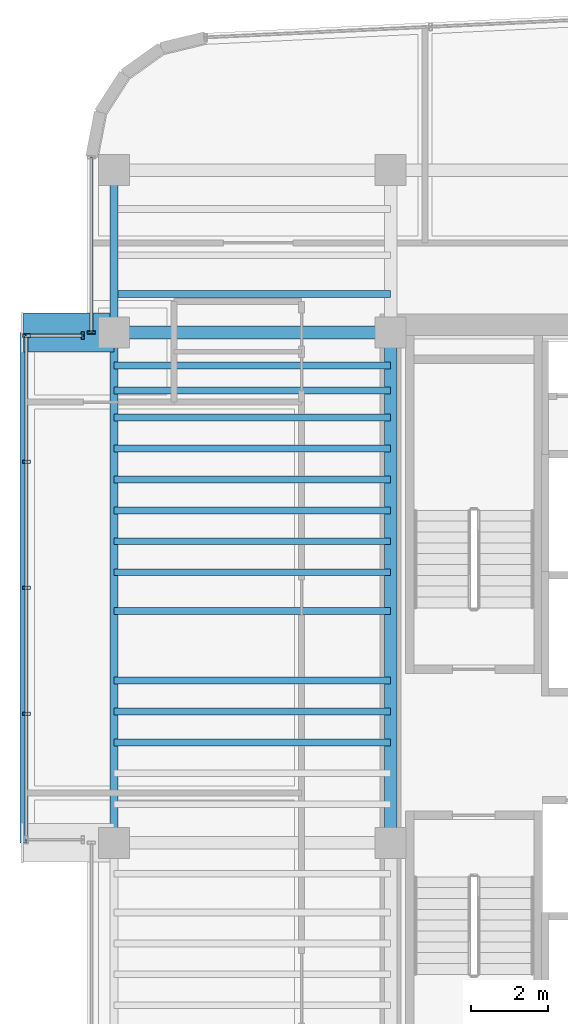
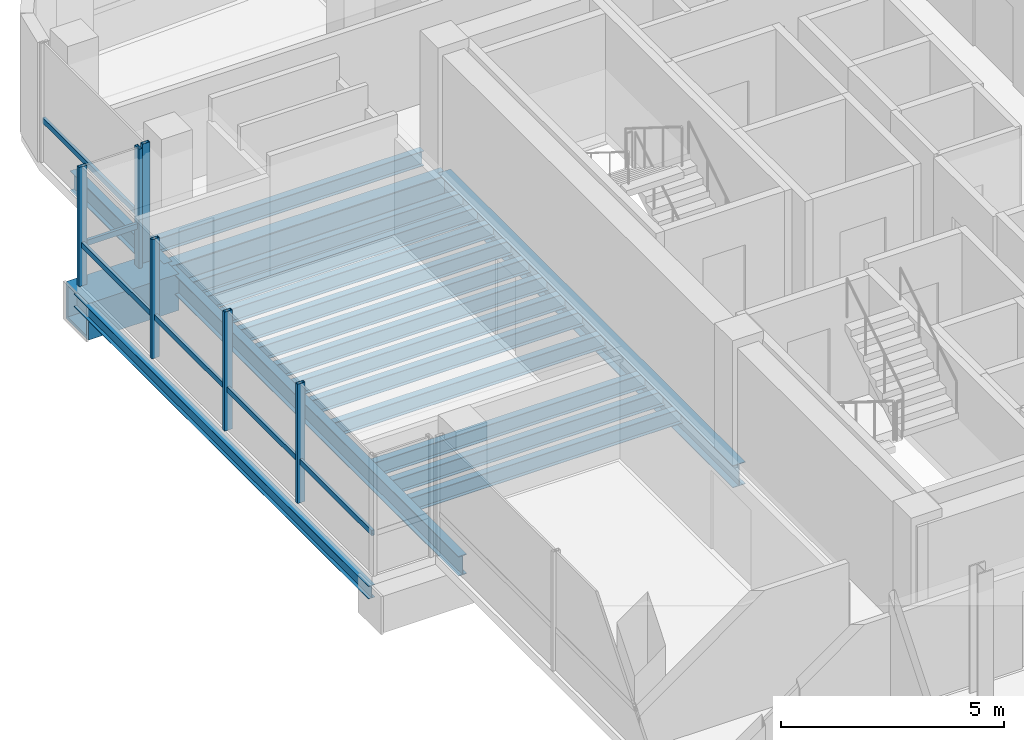
# One storey, part 6 of 18: 19 beams, 9 members, 3 elements without a shape of their own.
"""IFC4 building model written with IfcOpenShell, lengths in metres."""

from ifc_helpers import new_model, si_unit, direction, frame, origin, origin_2d, place, context, subcontext, project, spatial, hollow_rectangle, i_section, extrude, source, transform, mapped, material, material_profile, profile_set, type_object, element, aggregate, save


model = new_model("IFC4")

# Units and contexts
model_context = context("Model", 3, precision=1e-05, world=origin(), true_north=direction((0.0, 1.0)))
body_context = subcontext(model_context, "Body", "Model", "MODEL_VIEW")
ifc_project = project(units=[si_unit("LENGTHUNIT", "METRE"), si_unit("AREAUNIT", "SQUARE_METRE"), si_unit("VOLUMEUNIT", "CUBIC_METRE"), si_unit("PLANEANGLEUNIT", "RADIAN"), si_unit("MASSUNIT", "GRAM", prefix="KILO")], contexts=[model_context])

# Site, building, storey
site_placement = place(None, origin())
site = spatial("IfcSite", under=ifc_project, at=site_placement, CompositionType="ELEMENT")
building_placement = place(site_placement, origin())
building = spatial("IfcBuilding", under=site, at=building_placement, Name="Valdorenza Pilgrim Sanctuary Tower", CompositionType="ELEMENT")
storey_placement = place(building_placement, frame((0.0, 0.0, 273.0)))
storey = spatial("IfcBuildingStorey", under=building, at=storey_placement, Name="L71", CompositionType="ELEMENT", Elevation=273.0)

# Beams
ifc_material_1 = material(Name="Steel ASTM A992 Grade 50", Category="steel")
ifc_material_profile_1 = material_profile(ifc_material_1, i_section(OverallWidth=0.323974609375, OverallDepth=0.611083984375, WebThickness=0.0126953125, FlangeThickness=0.01904296875, at=origin_2d()), Name="W24X104")
ifc_profile_set_1 = profile_set([ifc_material_profile_1], Name="Steel ASTM A992 Grade 50")
beam_type_1 = type_object("IfcBeamType", Name="STR-BM-GRD-W24B", PredefinedType="BEAM", material=ifc_profile_set_1)
shared_shape_1 = source(origin(), body_context, "Body", "SweptSolid", [
    extrude(i_section(OverallWidth=0.323974609375, OverallDepth=0.611083984375, WebThickness=0.0126953125, FlangeThickness=0.01904296875, at=origin_2d()), origin(), (0.0, 0.0, 1.0), 13.2001953125),
])
beam_1_placement = place(storey_placement, frame((-22.64990234375, -2.60009765625, -0.54541015625), z_axis=(0.0, 1.0, 0.0), x_axis=(-1.0, 0.0, 0.0)))
element("IfcBeam", 1, at=beam_1_placement, inside=storey, type_object=beam_type_1, Name="L71 Core Tie Girder CA-W-M0N1", PredefinedType="BEAM", context=body_context, shape_type="MappedRepresentation", body=[
    mapped(shared_shape_1, transform((0.0, 0.0, 0.0), x_axis=(1.0, 0.0, 0.0), y_axis=(0.0, 1.0, 0.0), z_axis=(0.0, 0.0, 1.0), scale=1.0)),
])
ifc_material_profile_2 = material_profile(ifc_material_1, i_section(OverallWidth=0.1708984375, OverallDepth=0.35107421875, WebThickness=0.0068359375, FlangeThickness=0.009765625, at=origin_2d()), Name="W14X30")
ifc_profile_set_2 = profile_set([ifc_material_profile_2], Name="Steel ASTM A992 Grade 50")
beam_type_2 = type_object("IfcBeamType", Name="STR-BM-BOX-W14", PredefinedType="BEAM", material=ifc_profile_set_2)
shared_shape_2 = source(origin(), body_context, "Body", "SweptSolid", [
    extrude(i_section(OverallWidth=0.1708984375, OverallDepth=0.35107421875, WebThickness=0.0068359375, FlangeThickness=0.009765625, at=origin_2d()), origin(), (0.0, 0.0, 1.0), 13.2001953125),
])
beam_2_placement = place(storey_placement, frame((-32.14990234375, -2.60009765625, -0.41552734375), z_axis=(0.0, 1.0, 0.0), x_axis=(-1.0, 0.0, 0.0)))
element("IfcBeam", 2, at=beam_2_placement, inside=storey, type_object=beam_type_2, Name="L71 Glass Box Edge Beam BOX-WA-L71-F", PredefinedType="BEAM", context=body_context, shape_type="MappedRepresentation", body=[
    mapped(shared_shape_2, transform((0.0, 0.0, 0.0), x_axis=(1.0, 0.0, 0.0), y_axis=(0.0, 1.0, 0.0), z_axis=(0.0, 0.0, 1.0), scale=1.0)),
])
ifc_material_profile_3 = material_profile(ifc_material_1, i_section(OverallWidth=0.2109375, OverallDepth=0.5390625, WebThickness=0.01171875, FlangeThickness=0.018798828125, at=origin_2d()), Name="W21X73")
ifc_profile_set_3 = profile_set([ifc_material_profile_3], Name="Steel ASTM A992 Grade 50")
beam_type_3 = type_object("IfcBeamType", Name="STR-BM-SPN-W21B", PredefinedType="SPANDREL", material=ifc_profile_set_3)
shared_shape_3 = source(origin(), body_context, "Body", "SweptSolid", [
    extrude(i_section(OverallWidth=0.2109375, OverallDepth=0.5390625, WebThickness=0.01171875, FlangeThickness=0.018798828125, at=origin_2d()), origin(), (0.0, 0.0, 1.0), 13.2001953125),
])
beam_3_placement = place(storey_placement, frame((-29.800048828125, -2.60009765625, -0.509521484375), z_axis=(0.0, 1.0, 0.0), x_axis=(-1.0, 0.0, 0.0)))
element("IfcBeam", 3, at=beam_3_placement, inside=storey, type_object=beam_type_3, Name="L71 Spandrel Beam WA-W-M0N1", PredefinedType="SPANDREL", context=body_context, shape_type="MappedRepresentation", body=[
    mapped(shared_shape_3, transform((0.0, 0.0, 0.0), x_axis=(1.0, 0.0, 0.0), y_axis=(0.0, 1.0, 0.0), z_axis=(0.0, 0.0, 1.0), scale=1.0)),
])
shared_shape_4 = source(origin(), body_context, "Body", "SweptSolid", [
    extrude(i_section(OverallWidth=0.2109375, OverallDepth=0.5390625, WebThickness=0.01171875, FlangeThickness=0.018798828125, at=origin_2d()), origin(), (0.0, 0.0, 1.0), 4.199951171875),
])
beam_4_placement = place(storey_placement, frame((-29.800048828125, 10.60009765625, -0.509521484375), z_axis=(0.0, 1.0, 0.0), x_axis=(-1.0, 0.0, 0.0)))
element("IfcBeam", 4, at=beam_4_placement, inside=storey, type_object=beam_type_3, Name="L71 Spandrel Beam WA-W-N1N2", PredefinedType="SPANDREL", context=body_context, shape_type="MappedRepresentation", body=[
    mapped(shared_shape_4, transform((0.0, 0.0, 0.0), x_axis=(1.0, 0.0, 0.0), y_axis=(0.0, 1.0, 0.0), z_axis=(0.0, 0.0, 1.0), scale=1.0)),
])
ifc_material_profile_4 = material_profile(ifc_material_1, i_section(OverallWidth=0.177978515625, OverallDepth=0.406005859375, WebThickness=0.0078125, FlangeThickness=0.0126953125, at=origin_2d()), Name="W16X40")
ifc_profile_set_4 = profile_set([ifc_material_profile_4], Name="Steel ASTM A992 Grade 50")
beam_type_4 = type_object("IfcBeamType", Name="STR-BM-JST-W16", PredefinedType="JOIST", material=ifc_profile_set_4)
shared_shape_5 = source(origin(), body_context, "Body", "SweptSolid", [
    extrude(i_section(OverallWidth=0.177978515625, OverallDepth=0.406005859375, WebThickness=0.0078125, FlangeThickness=0.0126953125, at=origin_2d()), origin(), (0.0, 0.0, 1.0), 7.150146484375),
])
for number, where, z_axis, x_axis, name in (
    (5, (-29.800048828125, 0.0, -0.443115234375), (1.0, 0.0, 0.0), (0.0, 1.0, 0.0), "L71 Composite Floor Joist JST-WA-12"),
    (6, (-29.800048828125, 0.800048828125, -0.443115234375), (1.0, 0.0, 0.0), (0.0, 1.0, 0.0), "L71 Composite Floor Joist JST-WA-13"),
    (7, (-29.800048828125, 1.60009765625, -0.443115234375), (1.0, 0.0, 0.0), (0.0, 1.0, 0.0), "L71 Composite Floor Joist JST-WA-14"),
    (8, (-29.800048828125, 3.39990234375, -0.443115234375), (1.0, 0.0, 0.0), (0.0, 1.0, 0.0), "L71 Composite Floor Joist JST-WA-15"),
    (9, (-29.800048828125, 4.39990234375, -0.443115234375), (1.0, 0.0, 0.0), (0.0, 1.0, 0.0), "L71 Composite Floor Joist JST-WA-16"),
    (10, (-29.800048828125, 5.199951171875, -0.443115234375), (1.0, 0.0, 0.0), (0.0, 1.0, 0.0), "L71 Composite Floor Joist JST-WA-17"),
    (11, (-29.800048828125, 6.0, -0.443115234375), (1.0, 0.0, 0.0), (0.0, 1.0, 0.0), "L71 Composite Floor Joist JST-WA-18"),
    (12, (-29.800048828125, 6.800048828125, -0.443115234375), (1.0, 0.0, 0.0), (0.0, 1.0, 0.0), "L71 Composite Floor Joist JST-WA-19"),
    (13, (-29.800048828125, 7.60009765625, -0.443115234375), (1.0, 0.0, 0.0), (0.0, 1.0, 0.0), "L71 Composite Floor Joist JST-WA-20"),
    (14, (-29.800048828125, 8.39990234375, -0.443115234375), (1.0, 0.0, 0.0), (0.0, 1.0, 0.0), "L71 Composite Floor Joist JST-WA-21"),
    (15, (-29.800048828125, 9.10009765625, -0.443115234375), (1.0, 0.0, 0.0), (0.0, 1.0, 0.0), "L71 Composite Floor Joist JST-WA-22"),
    (16, (-29.800048828125, 9.75, -0.443115234375), (1.0, 0.0, 0.0), (0.0, 1.0, 0.0), "L71 Composite Floor Joist JST-WA-23"),
    (17, (-29.800048828125, 11.60009765625, -0.443115234375), (1.0, 0.0, 0.0), (0.0, 1.0, 0.0), "L71 Composite Floor Joist JST-WA-24"),
):
    element("IfcBeam", number, at=place(storey_placement, frame(where, z_axis=z_axis, x_axis=x_axis)), inside=storey, type_object=beam_type_4, Name=name, PredefinedType="JOIST", context=body_context, shape_type="MappedRepresentation", body=[
        mapped(shared_shape_5, transform((0.0, 0.0, 0.0), x_axis=(1.0, 0.0, 0.0), y_axis=(0.0, 1.0, 0.0), z_axis=(0.0, 0.0, 1.0), scale=1.0)),
    ])
ifc_material_2 = material(Name="Steel ASTM A572 Grade 42", Category="steel")
ifc_material_profile_5 = material_profile(ifc_material_2, hollow_rectangle(XDim=1.0, YDim=1.0, WallThickness=0.080078125, at=origin_2d()), Name="BOX 1000x1000x80")
ifc_profile_set_5 = profile_set([ifc_material_profile_5], Name="Steel ASTM A572 Grade 42")
beam_type_5 = type_object("IfcBeamType", Name="STR-BM-PROW-CANT", PredefinedType="BEAM", material=ifc_profile_set_5)
shared_shape_6 = source(origin(), body_context, "Body", "SweptSolid", [
    extrude(hollow_rectangle(XDim=1.0, YDim=1.0, WallThickness=0.080078125, at=origin_2d()), origin(), (0.0, 0.0, 1.0), 2.349853515625),
])
beam_5_placement = place(storey_placement, frame((-29.800048828125, 10.60009765625, -0.739990234375), z_axis=(-1.0, 0.0, 0.0), x_axis=(0.0, -1.0, 0.0)))
element("IfcBeam", 18, at=beam_5_placement, inside=storey, type_object=beam_type_5, Name="L71 Glass Box Cantilever Beam BOX-WA-L71-CT-N", PredefinedType="BEAM", context=body_context, shape_type="MappedRepresentation", body=[
    mapped(shared_shape_6, transform((0.0, 0.0, 0.0), x_axis=(1.0, 0.0, 0.0), y_axis=(0.0, 1.0, 0.0), z_axis=(0.0, 0.0, 1.0), scale=1.0)),
])
ifc_material_profile_6 = material_profile(ifc_material_1, i_section(OverallWidth=0.326904296875, OverallDepth=0.6220703125, WebThickness=0.015380859375, FlangeThickness=0.0244140625, at=origin_2d()), Name="W24X131")
ifc_profile_set_6 = profile_set([ifc_material_profile_6], Name="Steel ASTM A992 Grade 50")
beam_type_6 = type_object("IfcBeamType", Name="STR-BM-GRD-W24A", PredefinedType="BEAM", material=ifc_profile_set_6)
shared_shape_7 = source(origin(), body_context, "Body", "SweptSolid", [
    extrude(i_section(OverallWidth=0.326904296875, OverallDepth=0.6220703125, WebThickness=0.015380859375, FlangeThickness=0.0244140625, at=origin_2d()), origin(), (0.0, 0.0, 1.0), 7.150146484375),
])
beam_6_placement = place(storey_placement, frame((-29.800048828125, 10.60009765625, -0.551025390625), z_axis=(1.0, 0.0, 0.0), x_axis=(0.0, 1.0, 0.0)))
element("IfcBeam", 19, at=beam_6_placement, inside=storey, type_object=beam_type_6, Name="L71 Floor Girder WA-XW-N1", PredefinedType="BEAM", context=body_context, shape_type="MappedRepresentation", body=[
    mapped(shared_shape_7, transform((0.0, 0.0, 0.0), x_axis=(1.0, 0.0, 0.0), y_axis=(0.0, 1.0, 0.0), z_axis=(0.0, 0.0, 1.0), scale=1.0)),
])

# Curtain wall, member
ifc_material_3 = material(Name="Curtain-wall IGU glazing", Category="glass")
curtain_wall_type = type_object("IfcCurtainWallType", Name="CW-SYS-02", PredefinedType="NOTDEFINED", material=ifc_material_3)
curtain_wall_1_placement = place(storey_placement, origin())
curtain_wall_1 = element("IfcCurtainWall", 20, at=curtain_wall_1_placement, inside=storey, type_object=curtain_wall_type, Name="L71 Curtain Wall CW-L71-BOX-WA-L71-N", PredefinedType="NOTDEFINED")
ifc_material_4 = material(Name="Anodised aluminium AW-6060", Category="aluminium")
ifc_material_profile_7 = material_profile(ifc_material_4, hollow_rectangle(XDim=0.074951171875, YDim=0.14990234375, WallThickness=0.00390625, at=origin_2d()), Name="ALU-T 150x75x4")
ifc_profile_set_7 = profile_set([ifc_material_profile_7], Name="Anodised aluminium AW-6060")
member_type_1 = type_object("IfcMemberType", Name="CW-TRN-02", PredefinedType="USERDEFINED", material=ifc_profile_set_7)
shared_shape_8 = source(origin(), body_context, "Body", "SweptSolid", [
    extrude(hollow_rectangle(XDim=0.074951171875, YDim=0.14990234375, WallThickness=0.00390625, at=origin_2d()), origin(), (0.0, 0.0, 1.0), 1.4599609375),
])
member_1_placement = place(storey_placement, frame((-32.070068359375, 10.52001953125, 1.1201171875), z_axis=(1.0, 0.0, 0.0), x_axis=(0.0, 1.0, 0.0)))
member_1 = element("IfcMember", 21, at=member_1_placement, type_object=member_type_1, Name="CW-L71-BOX-WA-L71-N Transom 1", ObjectType="TRANSOM", PredefinedType="USERDEFINED", context=body_context, shape_type="MappedRepresentation", body=[
    mapped(shared_shape_8, transform((0.0, 0.0, 0.0), x_axis=(1.0, 0.0, 0.0), y_axis=(0.0, 1.0, 0.0), z_axis=(0.0, 0.0, 1.0), scale=1.0)),
])

curtain_wall_2_placement = place(storey_placement, origin())
curtain_wall_2 = element("IfcCurtainWall", 22, at=curtain_wall_2_placement, inside=storey, type_object=curtain_wall_type, Name="L71 Curtain Wall CW-L71-BOX-WA-L71-F", PredefinedType="NOTDEFINED")
shared_shape_9 = source(origin(), body_context, "Body", "SweptSolid", [
    extrude(hollow_rectangle(XDim=0.074951171875, YDim=0.14990234375, WallThickness=0.00390625, at=origin_2d()), origin(), (0.0, 0.0, 1.0), 13.0400390625),
])
member_2_placement = place(storey_placement, frame((-32.070068359375, -2.52001953125, 1.1201171875), z_axis=(0.0, 1.0, 0.0), x_axis=(-1.0, 0.0, 0.0)))
member_2 = element("IfcMember", 23, at=member_2_placement, type_object=member_type_1, Name="CW-L71-BOX-WA-L71-F Transom 1", ObjectType="TRANSOM", PredefinedType="USERDEFINED", context=body_context, shape_type="MappedRepresentation", body=[
    mapped(shared_shape_9, transform((0.0, 0.0, 0.0), x_axis=(1.0, 0.0, 0.0), y_axis=(0.0, 1.0, 0.0), z_axis=(0.0, 0.0, 1.0), scale=1.0)),
])

curtain_wall_3_placement = place(storey_placement, origin())
curtain_wall_3 = element("IfcCurtainWall", 24, at=curtain_wall_3_placement, inside=storey, type_object=curtain_wall_type, Name="L71 Curtain Wall CW-L71-1-1S2", PredefinedType="NOTDEFINED")
ifc_material_profile_8 = material_profile(ifc_material_4, hollow_rectangle(XDim=0.0849609375, YDim=0.199951171875, WallThickness=0.0048828125, at=origin_2d()), Name="ALU-M 200x85x5")
ifc_profile_set_8 = profile_set([ifc_material_profile_8], Name="Anodised aluminium AW-6060")
member_type_2 = type_object("IfcMemberType", Name="CW-MUL-02", PredefinedType="MULLION", material=ifc_profile_set_8)
shared_shape_10 = source(origin(), body_context, "Body", "SweptSolid", [
    extrude(hollow_rectangle(XDim=0.0849609375, YDim=0.199951171875, WallThickness=0.0048828125, at=origin_2d()), origin(), (0.0, 0.0, 1.0), 3.260009765625),
])
member_3_placement = place(storey_placement, frame((-30.389892578125, 10.60009765625, 0.0), z_axis=(0.0, 0.0, 1.0), x_axis=(0.0, 1.0, 0.0)))
member_3 = element("IfcMember", 25, at=member_3_placement, type_object=member_type_2, Name="CW-L71-1-1S2 Mullion 1", PredefinedType="MULLION", context=body_context, shape_type="MappedRepresentation", body=[
    mapped(shared_shape_10, transform((0.0, 0.0, 0.0), x_axis=(1.0, 0.0, 0.0), y_axis=(0.0, 1.0, 0.0), z_axis=(0.0, 0.0, 1.0), scale=1.0)),
])

# Member
member_4_placement = place(storey_placement, frame((-32.070068359375, 0.739990234375, 0.0), z_axis=(0.0, 0.0, 1.0), x_axis=(0.0, 1.0, 0.0)))
member_4 = element("IfcMember", 26, at=member_4_placement, type_object=member_type_2, Name="CW-L71-BOX-WA-L71-F Mullion 2", PredefinedType="MULLION", context=body_context, shape_type="MappedRepresentation", body=[
    mapped(shared_shape_10, transform((0.0, 0.0, 0.0), x_axis=(1.0, 0.0, 0.0), y_axis=(0.0, 1.0, 0.0), z_axis=(0.0, 0.0, 1.0), scale=1.0)),
])

member_5_placement = place(storey_placement, frame((-32.070068359375, 4.0, 0.0), z_axis=(0.0, 0.0, 1.0), x_axis=(0.0, 1.0, 0.0)))
member_5 = element("IfcMember", 27, at=member_5_placement, type_object=member_type_2, Name="CW-L71-BOX-WA-L71-F Mullion 3", PredefinedType="MULLION", context=body_context, shape_type="MappedRepresentation", body=[
    mapped(shared_shape_10, transform((0.0, 0.0, 0.0), x_axis=(1.0, 0.0, 0.0), y_axis=(0.0, 1.0, 0.0), z_axis=(0.0, 0.0, 1.0), scale=1.0)),
])

member_6_placement = place(storey_placement, frame((-32.070068359375, 7.260009765625, 0.0), z_axis=(0.0, 0.0, 1.0), x_axis=(0.0, 1.0, 0.0)))
member_6 = element("IfcMember", 28, at=member_6_placement, type_object=member_type_2, Name="CW-L71-BOX-WA-L71-F Mullion 4", PredefinedType="MULLION", context=body_context, shape_type="MappedRepresentation", body=[
    mapped(shared_shape_10, transform((0.0, 0.0, 0.0), x_axis=(1.0, 0.0, 0.0), y_axis=(0.0, 1.0, 0.0), z_axis=(0.0, 0.0, 1.0), scale=1.0)),
])

member_7_placement = place(storey_placement, frame((-32.070068359375, 10.52001953125, 0.0), z_axis=(0.0, 0.0, 1.0), x_axis=(0.0, 1.0, 0.0)))
member_7 = element("IfcMember", 29, at=member_7_placement, type_object=member_type_2, Name="CW-L71-BOX-WA-L71-F Mullion 5", PredefinedType="MULLION", context=body_context, shape_type="MappedRepresentation", body=[
    mapped(shared_shape_10, transform((0.0, 0.0, 0.0), x_axis=(1.0, 0.0, 0.0), y_axis=(0.0, 1.0, 0.0), z_axis=(0.0, 0.0, 1.0), scale=1.0)),
])

aggregate(curtain_wall_2, [member_4, member_5, member_6, member_7, member_2])

member_8_placement = place(storey_placement, frame((-30.610107421875, 10.52001953125, 0.0), z_axis=(0.0, 0.0, 1.0), x_axis=(1.0, 0.0, 0.0)))
member_8 = element("IfcMember", 30, at=member_8_placement, type_object=member_type_2, Name="CW-L71-BOX-WA-L71-N Mullion 2", PredefinedType="MULLION", context=body_context, shape_type="MappedRepresentation", body=[
    mapped(shared_shape_10, transform((0.0, 0.0, 0.0), x_axis=(1.0, 0.0, 0.0), y_axis=(0.0, 1.0, 0.0), z_axis=(0.0, 0.0, 1.0), scale=1.0)),
])

aggregate(curtain_wall_1, [member_8, member_1])

shared_shape_11 = source(origin(), body_context, "Body", "SweptSolid", [
    extrude(hollow_rectangle(XDim=0.074951171875, YDim=0.14990234375, WallThickness=0.00390625, at=origin_2d()), origin(), (0.0, 0.0, 1.0), 4.53662109375),
])
member_9_placement = place(storey_placement, frame((-30.389892578125, 10.60009765625, 1.1201171875), z_axis=(0.0, 1.0, 0.0), x_axis=(-1.0, 0.0, 0.0)))
member_9 = element("IfcMember", 31, at=member_9_placement, type_object=member_type_1, Name="CW-L71-1-1S2 Transom 1", ObjectType="TRANSOM", PredefinedType="USERDEFINED", context=body_context, shape_type="MappedRepresentation", body=[
    mapped(shared_shape_11, transform((0.0, 0.0, 0.0), x_axis=(1.0, 0.0, 0.0), y_axis=(0.0, 1.0, 0.0), z_axis=(0.0, 0.0, 1.0), scale=1.0)),
])

aggregate(curtain_wall_3, [member_3, member_9])

save(model, "model.ifc")
